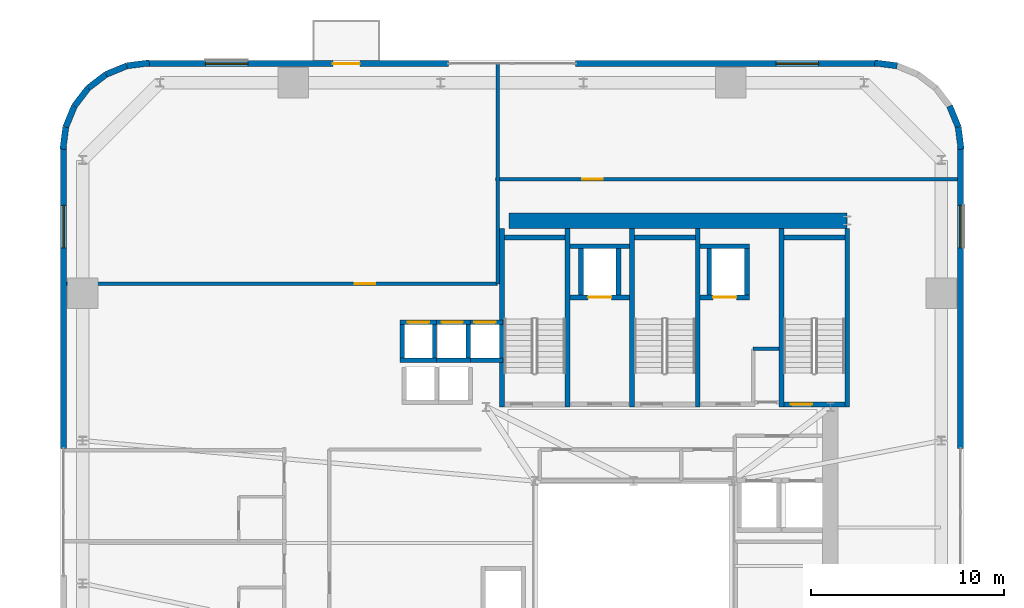
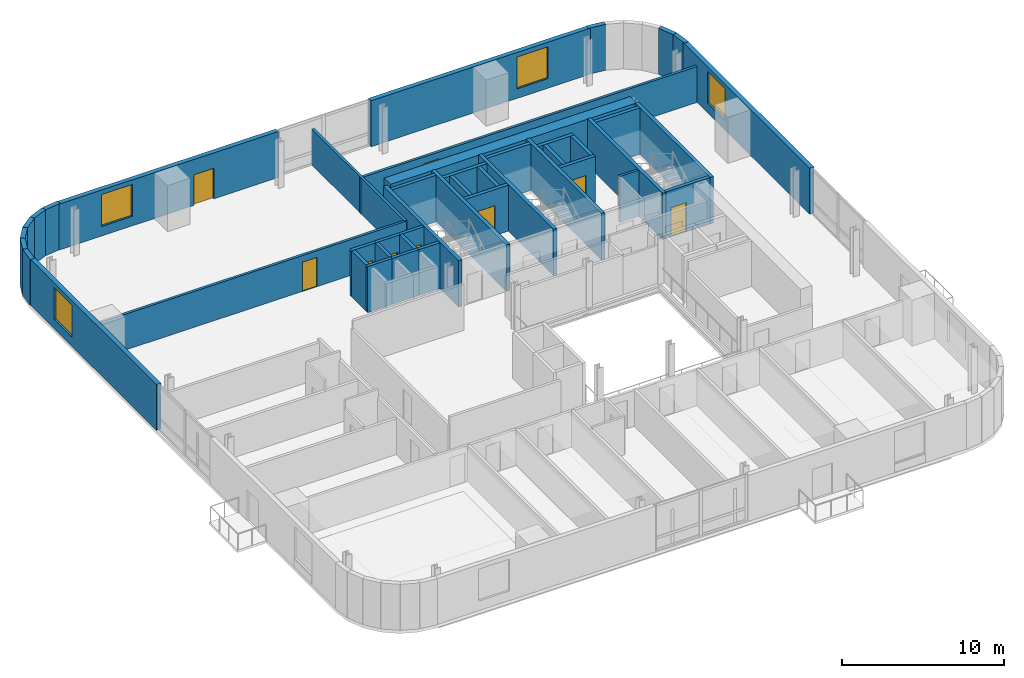
# One storey, part 8 of 14: 45 walls, 9 doors, 4 windows, 13 openings.
"""IFC4 building model written with IfcOpenShell, lengths in metres."""

from ifc_helpers import new_model, si_unit, direction, frame, frame_2d, origin, place, context, subcontext, project, spatial, rectangle, extrude, source, transform, mapped, material, layer, layer_set, type_object, element, fill, save


model = new_model("IFC4")

# Units and contexts
model_context = context("Model", 3, precision=1e-05, world=origin(), true_north=direction((0.0, 1.0)))
body_context = subcontext(model_context, "Body", "Model", "MODEL_VIEW")
ifc_project = project(units=[si_unit("LENGTHUNIT", "METRE"), si_unit("AREAUNIT", "SQUARE_METRE"), si_unit("VOLUMEUNIT", "CUBIC_METRE"), si_unit("PLANEANGLEUNIT", "RADIAN"), si_unit("MASSUNIT", "GRAM", prefix="KILO")], contexts=[model_context])

# Site, building, storey
site_placement = place(None, origin())
site = spatial("IfcSite", under=ifc_project, at=site_placement, CompositionType="ELEMENT")
building_placement = place(site_placement, origin())
building = spatial("IfcBuilding", under=site, at=building_placement, Name="Vardaveli Station Tower", CompositionType="ELEMENT")
storey_placement = place(building_placement, frame((0.0, 0.0, 129.800048828125)))
storey = spatial("IfcBuildingStorey", under=building, at=storey_placement, Name="L33", CompositionType="ELEMENT", Elevation=129.800048828125)

# Wall
ifc_material_1 = material(Name="Concrete C50/60", Category="concrete")
ifc_layer_1 = layer(ifc_material_1, 0.800048828125, Name="Concrete C50/60")
ifc_layer_set_1 = layer_set([ifc_layer_1], Name="Concrete C50/60")
wall_type_1 = type_object("IfcWallType", Name="WAL-CORE-800", PredefinedType="SHEAR", material=ifc_layer_set_1)
shared_shape_1 = source(origin(), body_context, "Body", "SweptSolid", [
    extrude(rectangle(XDim=17.52001953125, YDim=0.800048828125, at=frame_2d((8.760009765625, 0.0))), origin(), (0.0, 0.0, 1.0), 3.4599609375),
])
wall_1_placement = place(storey_placement, frame((29.85009765625, 40.300048828125, 0.0), z_axis=(0.0, 0.0, 1.0), x_axis=(1.0, 0.0, 0.0)))
element("IfcWall", 1, at=wall_1_placement, inside=storey, type_object=wall_type_1, Name="SW-L33-NORTH", PredefinedType="SHEAR", context=body_context, shape_type="MappedRepresentation", body=[
    mapped(shared_shape_1, transform((0.0, 0.0, 0.0), scale=1.0)),
])

# Wall, opening, window
ifc_material_2 = material(Name="Precast concrete C45/55", Category="concrete")
ifc_layer_2 = layer(ifc_material_2, 0.320068359375, Name="Precast concrete C45/55")
ifc_layer_set_2 = layer_set([ifc_layer_2], Name="Precast concrete C45/55")
wall_type_2 = type_object("IfcWallType", Name="WAL-EXT-STONE-320", PredefinedType="SOLIDWALL", material=ifc_layer_set_2)
shared_shape_2 = source(origin(), body_context, "Body", "SweptSolid", [
    extrude(rectangle(XDim=15.599853515625, YDim=0.320068359375, at=frame_2d((7.7998046875, 0.0))), origin(), (0.0, 0.0, 1.0), 3.4599609375),
])
wall_2_placement = place(storey_placement, frame((48.89990234375, 48.43994140625, 0.0), z_axis=(0.0, 0.0, 1.0), x_axis=(-1.0, 0.0, 0.0)))
wall_2 = element("IfcWall", 2, at=wall_2_placement, inside=storey, type_object=wall_type_2, Name="EW-L33-N1", PredefinedType="SOLIDWALL", context=body_context, shape_type="MappedRepresentation", body=[
    mapped(shared_shape_2, transform((0.0, 0.0, 0.0), scale=1.0)),
])
shared_shape_3 = source(origin(), body_context, "Body", "SweptSolid", [
    extrude(rectangle(XDim=2.199951171875, YDim=2.39990234375, at=frame_2d((1.10009765625, 1.199951171875))), frame((0.0, 0.169921875, 0.0), z_axis=(0.0, -1.0, 0.0), x_axis=(1.0, 0.0, 0.0)), (0.0, 0.0, 1.0), 0.340087890625),
])
opening_1_placement = place(wall_2_placement, frame((3.0048828125, 0.0, 0.719970703125)))
opening_1 = element("IfcOpeningElement", 3, at=opening_1_placement, cuts=wall_2, Name="Opening W-03", PredefinedType="OPENING", context=body_context, shape_type="MappedRepresentation", body=[
    mapped(shared_shape_3, transform((0.0, 0.0, 0.0), scale=1.0)),
])
ifc_material_3 = material(Name="Low-E solar-control glass", Category="glass")
window_type = type_object("IfcWindowType", Name="WIN-LOG-2200x2400", PartitioningType="SINGLE_PANEL", PredefinedType="WINDOW", material=ifc_material_3)
shared_shape_4 = source(origin(), body_context, "Body", "SweptSolid", [
    extrude(rectangle(XDim=2.199951171875, YDim=2.39990234375, at=frame_2d((1.10009765625, 1.199951171875))), frame((0.0, 0.030029296875, 0.0), z_axis=(0.0, -1.0, 0.0), x_axis=(1.0, 0.0, 0.0)), (0.0, 0.0, 1.0), 0.06005859375),
])
window_1_placement = place(opening_1_placement, origin())
window_1 = element("IfcWindow", 4, at=window_1_placement, inside=storey, type_object=window_type, Name="WN-L33-N1", OverallHeight=2.39990234375, OverallWidth=2.199951171875, PartitioningType="SINGLE_PANEL", PredefinedType="WINDOW", context=body_context, shape_type="MappedRepresentation", body=[
    mapped(shared_shape_4, transform((0.0, 0.0, 0.0), scale=1.0)),
])
fill(opening_1, window_1)

# Wall, openings, door, window
wall_3_placement = place(storey_placement, frame((26.699951171875, 48.43994140625, 0.0), z_axis=(0.0, 0.0, 1.0), x_axis=(-1.0, 0.0, 0.0)))
wall_3 = element("IfcWall", 5, at=wall_3_placement, inside=storey, type_object=wall_type_2, Name="EW-L33-N2", PredefinedType="SOLIDWALL", context=body_context, shape_type="MappedRepresentation", body=[
    mapped(shared_shape_2, transform((0.0, 0.0, 0.0), scale=1.0)),
])
shared_shape_5 = source(origin(), body_context, "Body", "SweptSolid", [
    extrude(rectangle(XDim=1.39990234375, YDim=2.300048828125, at=frame_2d((0.699951171875, 1.14990234375))), frame((0.0, 0.169921875, 0.0), z_axis=(0.0, -1.0, 0.0), x_axis=(1.0, 0.0, 0.0)), (0.0, 0.0, 1.0), 0.340087890625),
])
opening_2_placement = place(wall_3_placement, frame((4.589599609375, 0.0, 0.0)))
opening_2 = element("IfcOpeningElement", 6, at=opening_2_placement, cuts=wall_3, Name="Opening D-09", PredefinedType="OPENING", context=body_context, shape_type="MappedRepresentation", body=[
    mapped(shared_shape_5, transform((0.0, 0.0, 0.0), scale=1.0)),
])
opening_3_placement = place(wall_3_placement, frame((10.39501953125, 0.0, 0.719970703125)))
opening_3 = element("IfcOpeningElement", 7, at=opening_3_placement, cuts=wall_3, Name="Opening W-03", PredefinedType="OPENING", context=body_context, shape_type="MappedRepresentation", body=[
    mapped(shared_shape_3, transform((0.0, 0.0, 0.0), scale=1.0)),
])
ifc_material_4 = material(Name="Thermally broken aluminium glass", Category="aluminium")
door_type_1 = type_object("IfcDoorType", Name="DR-LOG-1400x2300", OperationType="DOUBLE_DOOR_SLIDING", PredefinedType="DOOR", material=ifc_material_4)
shared_shape_6 = source(origin(), body_context, "Body", "SweptSolid", [
    extrude(rectangle(XDim=1.39990234375, YDim=2.300048828125, at=frame_2d((0.699951171875, 1.14990234375))), frame((0.0, 0.02490234375, 0.0), z_axis=(0.0, -1.0, 0.0), x_axis=(1.0, 0.0, 0.0)), (0.0, 0.0, 1.0), 0.050048828125),
])
door_1_placement = place(opening_2_placement, frame((1.39990234375, 0.0, 0.0), z_axis=(0.0, 0.0, 1.0), x_axis=(-1.0, 0.0, 0.0)))
door_1 = element("IfcDoor", 8, at=door_1_placement, inside=storey, type_object=door_type_1, Name="DLG-L33-N", OperationType="DOUBLE_DOOR_SLIDING", OverallHeight=2.300048828125, OverallWidth=1.39990234375, PredefinedType="DOOR", context=body_context, shape_type="MappedRepresentation", body=[
    mapped(shared_shape_6, transform((0.0, 0.0, 0.0), scale=1.0)),
])
fill(opening_2, door_1)
window_2_placement = place(opening_3_placement, origin())
window_2 = element("IfcWindow", 9, at=window_2_placement, inside=storey, type_object=window_type, Name="WN-L33-N2", OverallHeight=2.39990234375, OverallWidth=2.199951171875, PartitioningType="SINGLE_PANEL", PredefinedType="WINDOW", context=body_context, shape_type="MappedRepresentation", body=[
    mapped(shared_shape_4, transform((0.0, 0.0, 0.0), scale=1.0)),
])
fill(opening_3, window_2)

# Wall, opening, window
shared_shape_7 = source(origin(), body_context, "Body", "SweptSolid", [
    extrude(rectangle(XDim=15.60009765625, YDim=0.320068359375, at=frame_2d((7.800048828125, 0.0))), origin(), (0.0, 0.0, 1.0), 3.4599609375),
])
wall_4_placement = place(storey_placement, frame((6.760009765625, 44.10009765625, 0.0), z_axis=(0.0, 0.0, 1.0), x_axis=(0.0, -1.0, 0.0)))
wall_4 = element("IfcWall", 10, at=wall_4_placement, inside=storey, type_object=wall_type_2, Name="EW-L33-W1", PredefinedType="SOLIDWALL", context=body_context, shape_type="MappedRepresentation", body=[
    mapped(shared_shape_7, transform((0.0, 0.0, 0.0), scale=1.0)),
])
opening_4_placement = place(wall_4_placement, frame((3.0048828125, 0.0, 0.719970703125)))
opening_4 = element("IfcOpeningElement", 11, at=opening_4_placement, cuts=wall_4, Name="Opening W-03", PredefinedType="OPENING", context=body_context, shape_type="MappedRepresentation", body=[
    mapped(shared_shape_3, transform((0.0, 0.0, 0.0), scale=1.0)),
])
window_3_placement = place(opening_4_placement, origin())
window_3 = element("IfcWindow", 12, at=window_3_placement, inside=storey, type_object=window_type, Name="WN-L33-W1", OverallHeight=2.39990234375, OverallWidth=2.199951171875, PartitioningType="SINGLE_PANEL", PredefinedType="WINDOW", context=body_context, shape_type="MappedRepresentation", body=[
    mapped(shared_shape_4, transform((0.0, 0.0, 0.0), scale=1.0)),
])
fill(opening_4, window_3)

wall_5_placement = place(storey_placement, frame((53.239990234375, 28.5, 0.0), z_axis=(0.0, 0.0, 1.0), x_axis=(0.0, 1.0, 0.0)))
wall_5 = element("IfcWall", 13, at=wall_5_placement, inside=storey, type_object=wall_type_2, Name="EW-L33-E2", PredefinedType="SOLIDWALL", context=body_context, shape_type="MappedRepresentation", body=[
    mapped(shared_shape_7, transform((0.0, 0.0, 0.0), scale=1.0)),
])
opening_5_placement = place(wall_5_placement, frame((10.39501953125, 0.0, 0.719970703125)))
opening_5 = element("IfcOpeningElement", 14, at=opening_5_placement, cuts=wall_5, Name="Opening W-03", PredefinedType="OPENING", context=body_context, shape_type="MappedRepresentation", body=[
    mapped(shared_shape_3, transform((0.0, 0.0, 0.0), scale=1.0)),
])
window_4_placement = place(opening_5_placement, origin())
window_4 = element("IfcWindow", 15, at=window_4_placement, inside=storey, type_object=window_type, Name="WN-L33-E2", OverallHeight=2.39990234375, OverallWidth=2.199951171875, PartitioningType="SINGLE_PANEL", PredefinedType="WINDOW", context=body_context, shape_type="MappedRepresentation", body=[
    mapped(shared_shape_4, transform((0.0, 0.0, 0.0), scale=1.0)),
])
fill(opening_5, window_4)

# Walls
shared_shape_8 = source(origin(), body_context, "Body", "SweptSolid", [
    extrude(rectangle(XDim=1.1689453125, YDim=0.320068359375, at=frame_2d((0.58447265625, 0.0))), origin(), (0.0, 0.0, 1.0), 3.4599609375),
])
wall_6_placement = place(storey_placement, frame((8.03125, 47.1689453125, 0.0), z_axis=(0.0, 0.0, 1.0), x_axis=(-0.608387696831, -0.793639975269, 0.0)))
element("IfcWall", 16, at=wall_6_placement, inside=storey, type_object=wall_type_2, Name="EW-L33-CR4-4", PredefinedType="SOLIDWALL", context=body_context, shape_type="MappedRepresentation", body=[
    mapped(shared_shape_8, transform((0.0, 0.0, 0.0), scale=1.0)),
])
shared_shape_9 = source(origin(), body_context, "Body", "SweptSolid", [
    extrude(rectangle(XDim=1.168701171875, YDim=0.320068359375, at=frame_2d((0.58447265625, 0.0))), origin(), (0.0, 0.0, 1.0), 3.4599609375),
])
wall_7_placement = place(storey_placement, frame((8.958740234375, 47.8798828125, 0.0), z_axis=(0.0, 0.0, 1.0), x_axis=(-0.793663520347, -0.608356981114, 0.0)))
element("IfcWall", 17, at=wall_7_placement, inside=storey, type_object=wall_type_2, Name="EW-L33-CR4-3", PredefinedType="SOLIDWALL", context=body_context, shape_type="MappedRepresentation", body=[
    mapped(shared_shape_9, transform((0.0, 0.0, 0.0), scale=1.0)),
])
shared_shape_10 = source(origin(), body_context, "Body", "SweptSolid", [
    extrude(rectangle(XDim=1.17041015625, YDim=0.320068359375, at=frame_2d((0.585205078125, 0.0))), origin(), (0.0, 0.0, 1.0), 3.4599609375),
])
for number, where, z_axis, x_axis, name in (
    (18, (53.275634765625, 43.99951171875, 0.0), (0.0, 0.0, 1.0), (-0.128295670475, 0.991735963317, 0.0), "EW-L33-CR3-1"),
    (19, (49.960205078125, 48.325439453125, 0.0), (0.0, 0.0, 1.0), (-0.991735963317, 0.128295670475, 0.0), "EW-L33-CR3-6"),
    (20, (11.200439453125, 48.4755859375, 0.0), (0.0, 0.0, 1.0), (-0.991735963317, -0.128295670475, 0.0), "EW-L33-CR4-1"),
    (21, (6.87451171875, 45.16015625, 0.0), (0.0, 0.0, 1.0), (-0.128295670475, -0.991735963317, 0.0), "EW-L33-CR4-6"),
):
    element("IfcWall", number, at=place(storey_placement, frame(where, z_axis=z_axis, x_axis=x_axis)), inside=storey, type_object=wall_type_2, Name=name, PredefinedType="SOLIDWALL", context=body_context, shape_type="MappedRepresentation", body=[
        mapped(shared_shape_10, transform((0.0, 0.0, 0.0), scale=1.0)),
    ])
shared_shape_11 = source(origin(), body_context, "Body", "SweptSolid", [
    extrude(rectangle(XDim=1.169189453125, YDim=0.320068359375, at=frame_2d((0.58447265625, 0.0))), origin(), (0.0, 0.0, 1.0), 3.4599609375),
])
for number, where, z_axis, x_axis, name in (
    (22, (53.12548828125, 45.16015625, 0.0), (0.0, 0.0, 1.0), (-0.381054331552, 0.924552646638, 0.0), "EW-L33-CR3-2"),
    (23, (10.039794921875, 48.325439453125, 0.0), (0.0, 0.0, 1.0), (-0.924552646638, -0.381054331552, 0.0), "EW-L33-CR4-2"),
    (24, (7.320068359375, 46.2412109375, 0.0), (0.0, 0.0, 1.0), (-0.381054331552, -0.924552646638, 0.0), "EW-L33-CR4-5"),
):
    element("IfcWall", number, at=place(storey_placement, frame(where, z_axis=z_axis, x_axis=x_axis)), inside=storey, type_object=wall_type_2, Name=name, PredefinedType="SOLIDWALL", context=body_context, shape_type="MappedRepresentation", body=[
        mapped(shared_shape_11, transform((0.0, 0.0, 0.0), scale=1.0)),
    ])
ifc_material_5 = material(Name="Concrete C40/50", Category="concrete")
ifc_layer_3 = layer(ifc_material_5, 0.25, Name="Concrete C40/50")
ifc_layer_set_3 = layer_set([ifc_layer_3], Name="Concrete C40/50")
wall_type_3 = type_object("IfcWallType", Name="WAL-SHAFT-250", PredefinedType="SOLIDWALL", material=ifc_layer_set_3)
shared_shape_12 = source(origin(), body_context, "Body", "SweptSolid", [
    extrude(rectangle(XDim=9.25, YDim=0.25, at=frame_2d((4.625, 0.0))), origin(), (0.0, 0.0, 1.0), 3.5),
])
for number, where, z_axis, x_axis, name in (
    (25, (29.47509765625, 30.64990234375, 0.0), (0.0, 0.0, 1.0), (0.0, 1.0, 0.0), "W-L33-ST-1W"),
    (26, (32.875, 30.64990234375, 0.0), (0.0, 0.0, 1.0), (0.0, 1.0, 0.0), "W-L33-ST-1E"),
    (27, (36.22509765625, 30.64990234375, 0.0), (0.0, 0.0, 1.0), (0.0, 1.0, 0.0), "W-L33-ST-2W"),
    (28, (39.625, 30.64990234375, 0.0), (0.0, 0.0, 1.0), (0.0, 1.0, 0.0), "W-L33-ST-2E"),
    (29, (43.97509765625, 30.64990234375, 0.0), (0.0, 0.0, 1.0), (0.0, 1.0, 0.0), "W-L33-ST-3W"),
    (30, (47.375, 30.64990234375, 0.0), (0.0, 0.0, 1.0), (0.0, 1.0, 0.0), "W-L33-ST-3E"),
):
    element("IfcWall", number, at=place(storey_placement, frame(where, z_axis=z_axis, x_axis=x_axis)), inside=storey, type_object=wall_type_3, Name=name, PredefinedType="SOLIDWALL", context=body_context, shape_type="MappedRepresentation", body=[
        mapped(shared_shape_12, transform((0.0, 0.0, 0.0), scale=1.0)),
    ])
shared_shape_13 = source(origin(), body_context, "Body", "SweptSolid", [
    extrude(rectangle(XDim=3.14990234375, YDim=0.25, at=frame_2d((1.574951171875, 0.0))), origin(), (0.0, 0.0, 1.0), 3.5),
])
for number, where, z_axis, x_axis, name in (
    (31, (29.60009765625, 39.425048828125, 0.0), (0.0, 0.0, 1.0), (1.0, 0.0, 0.0), "W-L33-ST-1N"),
    (32, (36.35009765625, 39.425048828125, 0.0), (0.0, 0.0, 1.0), (1.0, 0.0, 0.0), "W-L33-ST-2N"),
    (33, (44.10009765625, 39.425048828125, 0.0), (0.0, 0.0, 1.0), (1.0, 0.0, 0.0), "W-L33-ST-3N"),
):
    element("IfcWall", number, at=place(storey_placement, frame(where, z_axis=z_axis, x_axis=x_axis)), inside=storey, type_object=wall_type_3, Name=name, PredefinedType="SOLIDWALL", context=body_context, shape_type="MappedRepresentation", body=[
        mapped(shared_shape_13, transform((0.0, 0.0, 0.0), scale=1.0)),
    ])

# Wall, opening, door
wall_8_placement = place(storey_placement, frame((44.10009765625, 30.77490234375, 0.0), z_axis=(0.0, 0.0, 1.0), x_axis=(1.0, 0.0, 0.0)))
wall_8 = element("IfcWall", 34, at=wall_8_placement, inside=storey, type_object=wall_type_3, Name="W-L33-ST-3S", PredefinedType="SOLIDWALL", context=body_context, shape_type="MappedRepresentation", body=[
    mapped(shared_shape_13, transform((0.0, 0.0, 0.0), scale=1.0)),
])
shared_shape_14 = source(origin(), body_context, "Body", "SweptSolid", [
    extrude(rectangle(XDim=1.10009765625, YDim=2.199951171875, at=frame_2d((0.550048828125, 1.10009765625))), frame((0.0, 0.135009765625, 0.0), z_axis=(0.0, -1.0, 0.0), x_axis=(1.0, 0.0, 0.0)), (0.0, 0.0, 1.0), 0.27001953125),
])
opening_6_placement = place(wall_8_placement, frame((0.35009765625, 0.0, 0.0)))
opening_6 = element("IfcOpeningElement", 35, at=opening_6_placement, cuts=wall_8, Name="Opening D-04", PredefinedType="OPENING", context=body_context, shape_type="MappedRepresentation", body=[
    mapped(shared_shape_14, transform((0.0, 0.0, 0.0), scale=1.0)),
])
ifc_material_6 = material(Name="Steel smokeproof fire doorset", Category="steel")
door_type_2 = type_object("IfcDoorType", Name="DR-ST-1100x2200", OperationType="NOTDEFINED", PredefinedType="DOOR", material=ifc_material_6)
shared_shape_15 = source(origin(), body_context, "Body", "SweptSolid", [
    extrude(rectangle(XDim=1.10009765625, YDim=2.199951171875, at=frame_2d((0.550048828125, 1.10009765625))), frame((0.0, 0.02490234375, 0.0), z_axis=(0.0, -1.0, 0.0), x_axis=(1.0, 0.0, 0.0)), (0.0, 0.0, 1.0), 0.050048828125),
])
door_2_placement = place(opening_6_placement, origin())
door_2 = element("IfcDoor", 36, at=door_2_placement, inside=storey, type_object=door_type_2, Name="DST-3-L33", OperationType="SINGLE_SWING_LEFT", OverallHeight=2.199951171875, OverallWidth=1.10009765625, PredefinedType="DOOR", context=body_context, shape_type="MappedRepresentation", body=[
    mapped(shared_shape_15, transform((0.0, 0.0, 0.0), scale=1.0)),
])
fill(opening_6, door_2)

# Wall
ifc_layer_4 = layer(ifc_material_5, 0.219970703125, Name="Concrete C40/50")
ifc_layer_set_4 = layer_set([ifc_layer_4], Name="Concrete C40/50")
wall_type_4 = type_object("IfcWallType", Name="WAL-FFLOBBY-220", PredefinedType="SOLIDWALL", material=ifc_layer_set_4)
shared_shape_16 = source(origin(), body_context, "Body", "SweptSolid", [
    extrude(rectangle(XDim=1.889892578125, YDim=0.219970703125, at=frame_2d((0.94482421875, 0.0))), origin(), (0.0, 0.0, 1.0), 3.4599609375),
])
wall_9_placement = place(storey_placement, frame((24.205078125, 33.06494140625, 0.0), z_axis=(0.0, 0.0, 1.0), x_axis=(1.0, 0.0, 0.0)))
element("IfcWall", 37, at=wall_9_placement, inside=storey, type_object=wall_type_4, Name="SHW-HL2-01-L33-S", PredefinedType="SOLIDWALL", context=body_context, shape_type="MappedRepresentation", body=[
    mapped(shared_shape_16, transform((0.0, 0.0, 0.0), scale=1.0)),
])

# Wall, opening, door
wall_10_placement = place(storey_placement, frame((24.205078125, 35.034912109375, 0.0), z_axis=(0.0, 0.0, 1.0), x_axis=(1.0, 0.0, 0.0)))
wall_10 = element("IfcWall", 38, at=wall_10_placement, inside=storey, type_object=wall_type_4, Name="SHW-HL2-01-L33-N", PredefinedType="SOLIDWALL", context=body_context, shape_type="MappedRepresentation", body=[
    mapped(shared_shape_16, transform((0.0, 0.0, 0.0), scale=1.0)),
])
shared_shape_17 = source(origin(), body_context, "Body", "SweptSolid", [
    extrude(rectangle(XDim=1.10009765625, YDim=2.199951171875, at=frame_2d((0.550048828125, 1.10009765625))), frame((0.0, 0.1201171875, 0.0), z_axis=(0.0, -1.0, 0.0), x_axis=(1.0, 0.0, 0.0)), (0.0, 0.0, 1.0), 0.239990234375),
])
opening_7_placement = place(wall_10_placement, frame((0.39501953125, 0.0, 0.0)))
opening_7 = element("IfcOpeningElement", 39, at=opening_7_placement, cuts=wall_10, Name="Opening LD-01", PredefinedType="OPENING", context=body_context, shape_type="MappedRepresentation", body=[
    mapped(shared_shape_17, transform((0.0, 0.0, 0.0), scale=1.0)),
])
ifc_material_7 = material(Name="Brushed stainless steel", Category="steel")
door_type_3 = type_object("IfcDoorType", Name="DR-LD-1100x2200", OperationType="DOUBLE_DOOR_SLIDING", PredefinedType="DOOR", material=ifc_material_7)
door_3_placement = place(opening_7_placement, origin())
door_3 = element("IfcDoor", 40, at=door_3_placement, inside=storey, type_object=door_type_3, Name="LD-HL2-01-L33", OperationType="DOUBLE_DOOR_SLIDING", OverallHeight=2.199951171875, OverallWidth=1.10009765625, PredefinedType="DOOR", context=body_context, shape_type="MappedRepresentation", body=[
    mapped(shared_shape_15, transform((0.0, 0.0, 0.0), scale=1.0)),
])
fill(opening_7, door_3)

# Wall
wall_11_placement = place(storey_placement, frame((25.955078125, 33.06494140625, 0.0), z_axis=(0.0, 0.0, 1.0), x_axis=(1.0, 0.0, 0.0)))
element("IfcWall", 41, at=wall_11_placement, inside=storey, type_object=wall_type_4, Name="SHW-HL2-02-L33-S", PredefinedType="SOLIDWALL", context=body_context, shape_type="MappedRepresentation", body=[
    mapped(shared_shape_16, transform((0.0, 0.0, 0.0), scale=1.0)),
])

# Wall, opening, door
wall_12_placement = place(storey_placement, frame((25.955078125, 35.034912109375, 0.0), z_axis=(0.0, 0.0, 1.0), x_axis=(1.0, 0.0, 0.0)))
wall_12 = element("IfcWall", 42, at=wall_12_placement, inside=storey, type_object=wall_type_4, Name="SHW-HL2-02-L33-N", PredefinedType="SOLIDWALL", context=body_context, shape_type="MappedRepresentation", body=[
    mapped(shared_shape_16, transform((0.0, 0.0, 0.0), scale=1.0)),
])
opening_8_placement = place(wall_12_placement, frame((0.39501953125, 0.0, 0.0)))
opening_8 = element("IfcOpeningElement", 43, at=opening_8_placement, cuts=wall_12, Name="Opening LD-01", PredefinedType="OPENING", context=body_context, shape_type="MappedRepresentation", body=[
    mapped(shared_shape_17, transform((0.0, 0.0, 0.0), scale=1.0)),
])
door_4_placement = place(opening_8_placement, origin())
door_4 = element("IfcDoor", 44, at=door_4_placement, inside=storey, type_object=door_type_3, Name="LD-HL2-02-L33", OperationType="DOUBLE_DOOR_SLIDING", OverallHeight=2.199951171875, OverallWidth=1.10009765625, PredefinedType="DOOR", context=body_context, shape_type="MappedRepresentation", body=[
    mapped(shared_shape_15, transform((0.0, 0.0, 0.0), scale=1.0)),
])
fill(opening_8, door_4)

# Wall
wall_13_placement = place(storey_placement, frame((27.655029296875, 33.06494140625, 0.0), z_axis=(0.0, 0.0, 1.0), x_axis=(1.0, 0.0, 0.0)))
element("IfcWall", 45, at=wall_13_placement, inside=storey, type_object=wall_type_4, Name="SHW-HL2-03-L33-S", PredefinedType="SOLIDWALL", context=body_context, shape_type="MappedRepresentation", body=[
    mapped(shared_shape_16, transform((0.0, 0.0, 0.0), scale=1.0)),
])

# Wall, opening, door
wall_14_placement = place(storey_placement, frame((27.655029296875, 35.034912109375, 0.0), z_axis=(0.0, 0.0, 1.0), x_axis=(1.0, 0.0, 0.0)))
wall_14 = element("IfcWall", 46, at=wall_14_placement, inside=storey, type_object=wall_type_4, Name="SHW-HL2-03-L33-N", PredefinedType="SOLIDWALL", context=body_context, shape_type="MappedRepresentation", body=[
    mapped(shared_shape_16, transform((0.0, 0.0, 0.0), scale=1.0)),
])
opening_9_placement = place(wall_14_placement, frame((0.39501953125, 0.0, 0.0)))
opening_9 = element("IfcOpeningElement", 47, at=opening_9_placement, cuts=wall_14, Name="Opening LD-01", PredefinedType="OPENING", context=body_context, shape_type="MappedRepresentation", body=[
    mapped(shared_shape_17, transform((0.0, 0.0, 0.0), scale=1.0)),
])
door_5_placement = place(opening_9_placement, origin())
door_5 = element("IfcDoor", 48, at=door_5_placement, inside=storey, type_object=door_type_3, Name="LD-HL2-03-L33", OperationType="DOUBLE_DOOR_SLIDING", OverallHeight=2.199951171875, OverallWidth=1.10009765625, PredefinedType="DOOR", context=body_context, shape_type="MappedRepresentation", body=[
    mapped(shared_shape_15, transform((0.0, 0.0, 0.0), scale=1.0)),
])
fill(opening_9, door_5)

# Walls
shared_shape_18 = source(origin(), body_context, "Body", "SweptSolid", [
    extrude(rectangle(XDim=1.75, YDim=0.219970703125, at=frame_2d((0.875, 0.0))), origin(), (0.0, 0.0, 1.0), 3.4599609375),
])
for number, where, z_axis, x_axis, name in (
    (49, (24.31494140625, 33.175048828125, 0.0), (0.0, 0.0, 1.0), (0.0, 1.0, 0.0), "SHW-HL2-01-L33-W"),
    (50, (25.985107421875, 33.175048828125, 0.0), (0.0, 0.0, 1.0), (0.0, 1.0, 0.0), "SHW-HL2-01-L33-E"),
    (51, (27.735107421875, 33.175048828125, 0.0), (0.0, 0.0, 1.0), (0.0, 1.0, 0.0), "SHW-HL2-02-L33-E"),
):
    element("IfcWall", number, at=place(storey_placement, frame(where, z_axis=z_axis, x_axis=x_axis)), inside=storey, type_object=wall_type_4, Name=name, PredefinedType="SOLIDWALL", context=body_context, shape_type="MappedRepresentation", body=[
        mapped(shared_shape_18, transform((0.0, 0.0, 0.0), scale=1.0)),
    ])

# Wall, opening, door
shared_shape_19 = source(origin(), body_context, "Body", "SweptSolid", [
    extrude(rectangle(XDim=3.10009765625, YDim=0.25, at=frame_2d((1.550048828125, 0.0))), origin(), (0.0, 0.0, 1.0), 3.4599609375),
])
wall_15_placement = place(storey_placement, frame((33.0, 36.324951171875, 0.0), z_axis=(0.0, 0.0, 1.0), x_axis=(1.0, 0.0, 0.0)))
wall_15 = element("IfcWall", 52, at=wall_15_placement, inside=storey, type_object=wall_type_3, Name="SHW-FFL-01-L33-S", PredefinedType="SOLIDWALL", context=body_context, shape_type="MappedRepresentation", body=[
    mapped(shared_shape_19, transform((0.0, 0.0, 0.0), scale=1.0)),
])
shared_shape_20 = source(origin(), body_context, "Body", "SweptSolid", [
    extrude(rectangle(XDim=1.199951171875, YDim=2.25, at=frame_2d((0.60009765625, 1.125))), frame((0.0, 0.135009765625, 0.0), z_axis=(0.0, -1.0, 0.0), x_axis=(1.0, 0.0, 0.0)), (0.0, 0.0, 1.0), 0.27001953125),
])
opening_10_placement = place(wall_15_placement, frame((0.949951171875, 0.0, 0.0)))
opening_10 = element("IfcOpeningElement", 53, at=opening_10_placement, cuts=wall_15, Name="Opening LD-02", PredefinedType="OPENING", context=body_context, shape_type="MappedRepresentation", body=[
    mapped(shared_shape_20, transform((0.0, 0.0, 0.0), scale=1.0)),
])
door_type_4 = type_object("IfcDoorType", Name="DR-LD-1200x2250", OperationType="DOUBLE_DOOR_SLIDING", PredefinedType="DOOR", material=ifc_material_7)
shared_shape_21 = source(origin(), body_context, "Body", "SweptSolid", [
    extrude(rectangle(XDim=1.199951171875, YDim=2.25, at=frame_2d((0.60009765625, 1.125))), frame((0.0, 0.02490234375, 0.0), z_axis=(0.0, -1.0, 0.0), x_axis=(1.0, 0.0, 0.0)), (0.0, 0.0, 1.0), 0.050048828125),
])
door_6_placement = place(opening_10_placement, origin())
door_6 = element("IfcDoor", 54, at=door_6_placement, inside=storey, type_object=door_type_4, Name="LD-FFL-01-L33", OperationType="DOUBLE_DOOR_SLIDING", OverallHeight=2.25, OverallWidth=1.199951171875, PredefinedType="DOOR", context=body_context, shape_type="MappedRepresentation", body=[
    mapped(shared_shape_21, transform((0.0, 0.0, 0.0), scale=1.0)),
])
fill(opening_10, door_6)

# Walls
wall_16_placement = place(storey_placement, frame((33.0, 38.97509765625, 0.0), z_axis=(0.0, 0.0, 1.0), x_axis=(1.0, 0.0, 0.0)))
element("IfcWall", 55, at=wall_16_placement, inside=storey, type_object=wall_type_3, Name="SHW-FFL-01-L33-N", PredefinedType="SOLIDWALL", context=body_context, shape_type="MappedRepresentation", body=[
    mapped(shared_shape_19, transform((0.0, 0.0, 0.0), scale=1.0)),
])
shared_shape_22 = source(origin(), body_context, "Body", "SweptSolid", [
    extrude(rectangle(XDim=2.400146484375, YDim=0.25, at=frame_2d((1.2001953125, 0.0))), origin(), (0.0, 0.0, 1.0), 3.4599609375),
])
for number, where, z_axis, x_axis, name in (
    (56, (33.574951171875, 36.449951171875, 0.0), (0.0, 0.0, 1.0), (0.0, 1.0, 0.0), "SHW-FFL-01-L33-W"),
    (57, (35.52490234375, 36.449951171875, 0.0), (0.0, 0.0, 1.0), (0.0, 1.0, 0.0), "SHW-FFL-01-L33-E"),
    (58, (40.22509765625, 36.449951171875, 0.0), (0.0, 0.0, 1.0), (0.0, 1.0, 0.0), "SHW-FFL-02-L33-W"),
    (59, (42.175048828125, 36.449951171875, 0.0), (0.0, 0.0, 1.0), (0.0, 1.0, 0.0), "SHW-FFL-02-L33-E"),
):
    element("IfcWall", number, at=place(storey_placement, frame(where, z_axis=z_axis, x_axis=x_axis)), inside=storey, type_object=wall_type_3, Name=name, PredefinedType="SOLIDWALL", context=body_context, shape_type="MappedRepresentation", body=[
        mapped(shared_shape_22, transform((0.0, 0.0, 0.0), scale=1.0)),
    ])

# Wall, opening, door
shared_shape_23 = source(origin(), body_context, "Body", "SweptSolid", [
    extrude(rectangle(XDim=2.550048828125, YDim=0.25, at=frame_2d((1.27490234375, 0.0))), origin(), (0.0, 0.0, 1.0), 3.4599609375),
])
wall_17_placement = place(storey_placement, frame((39.75, 36.324951171875, 0.0), z_axis=(0.0, 0.0, 1.0), x_axis=(1.0, 0.0, 0.0)))
wall_17 = element("IfcWall", 60, at=wall_17_placement, inside=storey, type_object=wall_type_3, Name="SHW-FFL-02-L33-S", PredefinedType="SOLIDWALL", context=body_context, shape_type="MappedRepresentation", body=[
    mapped(shared_shape_23, transform((0.0, 0.0, 0.0), scale=1.0)),
])
opening_11_placement = place(wall_17_placement, frame((0.675048828125, 0.0, 0.0)))
opening_11 = element("IfcOpeningElement", 61, at=opening_11_placement, cuts=wall_17, Name="Opening LD-02", PredefinedType="OPENING", context=body_context, shape_type="MappedRepresentation", body=[
    mapped(shared_shape_20, transform((0.0, 0.0, 0.0), scale=1.0)),
])
door_7_placement = place(opening_11_placement, origin())
door_7 = element("IfcDoor", 62, at=door_7_placement, inside=storey, type_object=door_type_4, Name="LD-FFL-02-L33", OperationType="DOUBLE_DOOR_SLIDING", OverallHeight=2.25, OverallWidth=1.199951171875, PredefinedType="DOOR", context=body_context, shape_type="MappedRepresentation", body=[
    mapped(shared_shape_21, transform((0.0, 0.0, 0.0), scale=1.0)),
])
fill(opening_11, door_7)

# Wall
wall_18_placement = place(storey_placement, frame((39.75, 38.97509765625, 0.0), z_axis=(0.0, 0.0, 1.0), x_axis=(1.0, 0.0, 0.0)))
element("IfcWall", 63, at=wall_18_placement, inside=storey, type_object=wall_type_3, Name="SHW-FFL-02-L33-N", PredefinedType="SOLIDWALL", context=body_context, shape_type="MappedRepresentation", body=[
    mapped(shared_shape_23, transform((0.0, 0.0, 0.0), scale=1.0)),
])

# Wall, opening, door
ifc_material_8 = material(Name="Fire-rated gypsum stud partition")
ifc_layer_5 = layer(ifc_material_8, 0.179931640625, Name="Fire-rated gypsum stud partition")
ifc_layer_set_5 = layer_set([ifc_layer_5], Name="Fire-rated gypsum stud partition")
wall_type_5 = type_object("IfcWallType", Name="WAL-CORR-180", PredefinedType="PARTITIONING", material=ifc_layer_set_5)
shared_shape_24 = source(origin(), body_context, "Body", "SweptSolid", [
    extrude(rectangle(XDim=23.927978515625, YDim=0.179931640625, at=frame_2d((11.9638671875, 0.0))), origin(), (0.0, 0.0, 1.0), 2.701904296875),
])
wall_19_placement = place(storey_placement, frame((29.14990234375, 42.449951171875, 0.0), z_axis=(0.0, 0.0, 1.0), x_axis=(1.0, 0.0, 0.0)))
wall_19 = element("IfcWall", 64, at=wall_19_placement, inside=storey, type_object=wall_type_5, Name="W-L33-NPS", PredefinedType="PARTITIONING", context=body_context, shape_type="MappedRepresentation", body=[
    mapped(shared_shape_24, transform((0.0, 0.0, 0.0), scale=1.0)),
])
shared_shape_25 = source(origin(), body_context, "Body", "SweptSolid", [
    extrude(rectangle(XDim=1.050048828125, YDim=2.199951171875, at=frame_2d((0.52490234375, 1.10009765625))), frame((0.0, 0.10009765625, 0.0), z_axis=(0.0, -1.0, 0.0), x_axis=(1.0, 0.0, 0.0)), (0.0, 0.0, 1.0), 0.199951171875),
])
opening_12_placement = place(wall_19_placement, frame((4.5, 0.0, 0.0)))
opening_12 = element("IfcOpeningElement", 65, at=opening_12_placement, cuts=wall_19, Name="Opening D-05", PredefinedType="OPENING", context=body_context, shape_type="MappedRepresentation", body=[
    mapped(shared_shape_25, transform((0.0, 0.0, 0.0), scale=1.0)),
])
ifc_material_9 = material(Name="Walnut veneer acoustic fire door")
door_type_5 = type_object("IfcDoorType", Name="DR-SUITE-1050x2200", OperationType="NOTDEFINED", PredefinedType="DOOR", material=ifc_material_9)
shared_shape_26 = source(origin(), body_context, "Body", "SweptSolid", [
    extrude(rectangle(XDim=1.050048828125, YDim=2.199951171875, at=frame_2d((0.52490234375, 1.10009765625))), frame((0.0, 0.02490234375, 0.0), z_axis=(0.0, -1.0, 0.0), x_axis=(1.0, 0.0, 0.0)), (0.0, 0.0, 1.0), 0.050048828125),
])
door_8_placement = place(opening_12_placement, origin())
door_8 = element("IfcDoor", 66, at=door_8_placement, inside=storey, type_object=door_type_5, Name="D-L33-NP1", OperationType="SINGLE_SWING_LEFT", OverallHeight=2.199951171875, OverallWidth=1.050048828125, PredefinedType="DOOR", context=body_context, shape_type="MappedRepresentation", body=[
    mapped(shared_shape_26, transform((0.0, 0.0, 0.0), scale=1.0)),
])
fill(opening_12, door_8)

shared_shape_27 = source(origin(), body_context, "Body", "SweptSolid", [
    extrude(rectangle(XDim=22.327880859375, YDim=0.179931640625, at=frame_2d((11.1640625, 0.0))), origin(), (0.0, 0.0, 1.0), 2.701904296875),
])
wall_20_placement = place(storey_placement, frame((6.922119140625, 37.02001953125, 0.0), z_axis=(0.0, 0.0, 1.0), x_axis=(1.0, 0.0, 0.0)))
wall_20 = element("IfcWall", 67, at=wall_20_placement, inside=storey, type_object=wall_type_5, Name="W-L33-CNWS", PredefinedType="PARTITIONING", context=body_context, shape_type="MappedRepresentation", body=[
    mapped(shared_shape_27, transform((0.0, 0.0, 0.0), scale=1.0)),
])
opening_13_placement = place(wall_20_placement, frame((14.927978515625, 0.0, 0.0)))
opening_13 = element("IfcOpeningElement", 68, at=opening_13_placement, cuts=wall_20, Name="Opening D-05", PredefinedType="OPENING", context=body_context, shape_type="MappedRepresentation", body=[
    mapped(shared_shape_25, transform((0.0, 0.0, 0.0), scale=1.0)),
])
door_9_placement = place(opening_13_placement, origin())
door_9 = element("IfcDoor", 69, at=door_9_placement, inside=storey, type_object=door_type_5, Name="D-L33-GNW1", OperationType="SINGLE_SWING_RIGHT", OverallHeight=2.199951171875, OverallWidth=1.050048828125, PredefinedType="DOOR", context=body_context, shape_type="MappedRepresentation", body=[
    mapped(shared_shape_26, transform((0.0, 0.0, 0.0), scale=1.0)),
])
fill(opening_13, door_9)

# Walls
shared_shape_28 = source(origin(), body_context, "Body", "SweptSolid", [
    extrude(rectangle(XDim=11.449951171875, YDim=0.179931640625, at=frame_2d((5.72509765625, 0.0))), origin(), (0.0, 0.0, 1.0), 2.701904296875),
])
wall_21_placement = place(storey_placement, frame((29.25, 37.02001953125, 0.0), z_axis=(0.0, 0.0, 1.0), x_axis=(0.0, 1.0, 0.0)))
element("IfcWall", 70, at=wall_21_placement, inside=storey, type_object=wall_type_5, Name="W-L33-CNWE", PredefinedType="PARTITIONING", context=body_context, shape_type="MappedRepresentation", body=[
    mapped(shared_shape_28, transform((0.0, 0.0, 0.0), scale=1.0)),
])
shared_shape_29 = source(origin(), body_context, "Body", "SweptSolid", [
    extrude(rectangle(XDim=1.347900390625, YDim=0.179931640625, at=frame_2d((0.673828125, 0.0))), origin(), (0.0, 0.0, 1.0), 3.4599609375),
])
wall_22_placement = place(storey_placement, frame((42.5, 33.64990234375, 0.0), z_axis=(0.0, 0.0, 1.0), x_axis=(1.0, 0.0, 0.0)))
element("IfcWall", 71, at=wall_22_placement, inside=storey, type_object=wall_type_5, Name="W-L33-CBS0-N", PredefinedType="PARTITIONING", context=body_context, shape_type="MappedRepresentation", body=[
    mapped(shared_shape_29, transform((0.0, 0.0, 0.0), scale=1.0)),
])

save(model, "model.ifc")
